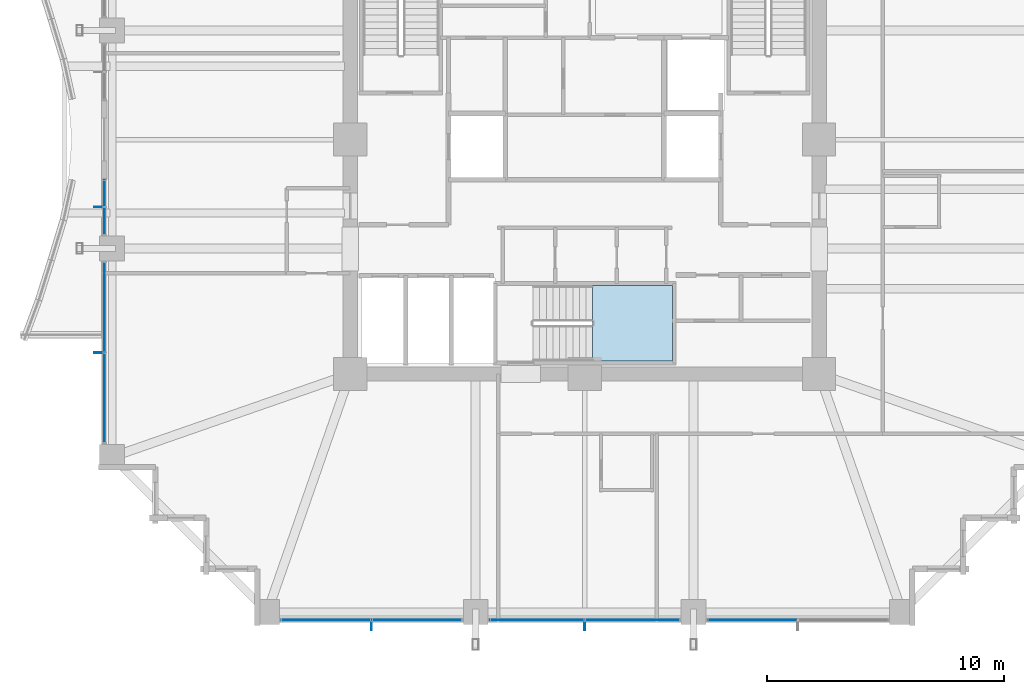
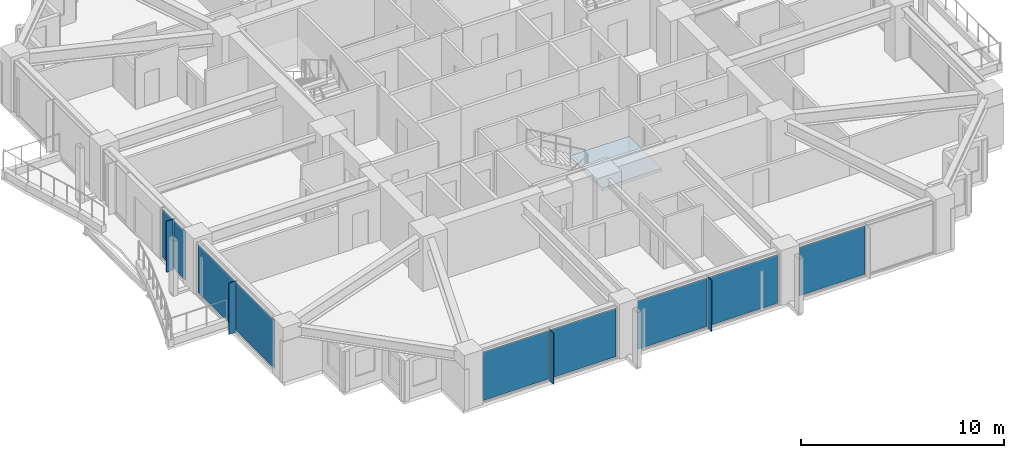
# One storey, part 25 of 37: 13 plates, 1 slab, 6 elements without a shape of their own.
"""IFC4 building model written with IfcOpenShell, lengths in metres."""

from ifc_helpers import new_model, si_unit, direction, frame, origin, origin_2d, place, context, subcontext, project, spatial, polyline, rectangle, outline, extrude, material, layer, layer_set, type_object, element, aggregate, save


model = new_model("IFC4")

# Units and contexts
model_context = context("Model", 3, precision=1e-05, world=origin(), true_north=direction((0.0, 1.0)))
body_context = subcontext(model_context, "Body", "Model", "MODEL_VIEW")
ifc_project = project(units=[si_unit("LENGTHUNIT", "METRE"), si_unit("AREAUNIT", "SQUARE_METRE"), si_unit("VOLUMEUNIT", "CUBIC_METRE"), si_unit("PLANEANGLEUNIT", "RADIAN"), si_unit("MASSUNIT", "GRAM", prefix="KILO")], contexts=[model_context])

# Site, building, storey
site_placement = place(None, origin())
site = spatial("IfcSite", under=ifc_project, at=site_placement, CompositionType="ELEMENT")
building_placement = place(site_placement, origin())
building = spatial("IfcBuilding", under=site, at=building_placement, Name="Kolvaren Belvedere", CompositionType="ELEMENT")
storey_placement = place(building_placement, frame((0.0, 0.0, 82.10009765625)))
storey = spatial("IfcBuildingStorey", under=building, at=storey_placement, Name="L23", CompositionType="ELEMENT", Elevation=82.10009765625)

# Curtain wall, plate
ifc_material_1 = material(Name="Anodised pale-metal aluminium AA 6063-T6", Category="aluminium")
curtain_wall_type = type_object("IfcCurtainWallType", Name="CW-Z2-MID", PredefinedType="NOTDEFINED", material=ifc_material_1)
curtain_wall_1_placement = place(storey_placement, origin())
curtain_wall_1 = element("IfcCurtainWall", 1, at=curtain_wall_1_placement, inside=storey, type_object=curtain_wall_type, Name="L23 Unitised Curtain Wall FCW-L23-S-B1", PredefinedType="NOTDEFINED")
ifc_material_2 = material(Name="Low-iron triple insulated glass", Category="glass")
ifc_layer_1 = layer(ifc_material_2, 0.028076171875)
ifc_layer_set_1 = layer_set([ifc_layer_1], Name="Low-iron triple insulated glass")
plate_type_1 = type_object("IfcPlateType", Name="CW-PNL-VIS28", PredefinedType="CURTAIN_PANEL", material=ifc_layer_set_1)
plate_1_placement = place(storey_placement, frame((7.0888671875, -20.280029296875, 0.079833984375), z_axis=(0.0, 0.0, 1.0), x_axis=(-1.0, 0.0, 0.0)))
plate_1 = element("IfcPlate", 2, at=plate_1_placement, type_object=plate_type_1, Name="FCW-L23-S-B1 Vision Glazing Panel 2", PredefinedType="CURTAIN_PANEL", context=body_context, shape_type="SweptSolid", body=[
    extrude(rectangle(XDim=3.742431640625, YDim=0.028076171875, at=origin_2d()), origin(), (0.0, 0.0, 1.0), 2.919921875),
])
aggregate(curtain_wall_1, [plate_1])

# Curtain wall, plates
curtain_wall_2_placement = place(storey_placement, origin())
curtain_wall_2 = element("IfcCurtainWall", 3, at=curtain_wall_2_placement, inside=storey, type_object=curtain_wall_type, Name="L23 Unitised Curtain Wall FCW-L23-S-B2", PredefinedType="NOTDEFINED")
plate_2_placement = place(storey_placement, frame((2.01123046875, -20.280029296875, 0.079833984375), z_axis=(0.0, 0.0, 1.0), x_axis=(-1.0, 0.0, 0.0)))
plate_2 = element("IfcPlate", 4, at=plate_2_placement, type_object=plate_type_1, Name="FCW-L23-S-B2 Vision Glazing Panel 1", PredefinedType="CURTAIN_PANEL", context=body_context, shape_type="SweptSolid", body=[
    extrude(rectangle(XDim=3.9423828125, YDim=0.028076171875, at=origin_2d()), origin(), (0.0, 0.0, 1.0), 2.919921875),
])
plate_3_placement = place(storey_placement, frame((-2.01123046875, -20.280029296875, 0.079833984375), z_axis=(0.0, 0.0, 1.0), x_axis=(-1.0, 0.0, 0.0)))
plate_3 = element("IfcPlate", 5, at=plate_3_placement, type_object=plate_type_1, Name="FCW-L23-S-B2 Vision Glazing Panel 2", PredefinedType="CURTAIN_PANEL", context=body_context, shape_type="SweptSolid", body=[
    extrude(rectangle(XDim=3.9423828125, YDim=0.028076171875, at=origin_2d()), origin(), (0.0, 0.0, 1.0), 2.919921875),
])
aggregate(curtain_wall_2, [plate_2, plate_3])

curtain_wall_3_placement = place(storey_placement, origin())
curtain_wall_3 = element("IfcCurtainWall", 6, at=curtain_wall_3_placement, inside=storey, type_object=curtain_wall_type, Name="L23 Unitised Curtain Wall FCW-L23-S-B3", PredefinedType="NOTDEFINED")
plate_4_placement = place(storey_placement, frame((-7.0888671875, -20.280029296875, 0.079833984375), z_axis=(0.0, 0.0, 1.0), x_axis=(-1.0, 0.0, 0.0)))
plate_4 = element("IfcPlate", 7, at=plate_4_placement, type_object=plate_type_1, Name="FCW-L23-S-B3 Vision Glazing Panel 1", PredefinedType="CURTAIN_PANEL", context=body_context, shape_type="SweptSolid", body=[
    extrude(rectangle(XDim=3.742431640625, YDim=0.028076171875, at=origin_2d()), origin(), (0.0, 0.0, 1.0), 2.919921875),
])
plate_5_placement = place(storey_placement, frame((-10.9111328125, -20.280029296875, 0.079833984375), z_axis=(0.0, 0.0, 1.0), x_axis=(-1.0, 0.0, 0.0)))
plate_5 = element("IfcPlate", 8, at=plate_5_placement, type_object=plate_type_1, Name="FCW-L23-S-B3 Vision Glazing Panel 2", PredefinedType="CURTAIN_PANEL", context=body_context, shape_type="SweptSolid", body=[
    extrude(rectangle(XDim=3.742431640625, YDim=0.028076171875, at=origin_2d()), origin(), (0.0, 0.0, 1.0), 2.919921875),
])
aggregate(curtain_wall_3, [plate_4, plate_5])

curtain_wall_4_placement = place(storey_placement, origin())
curtain_wall_4 = element("IfcCurtainWall", 9, at=curtain_wall_4_placement, inside=storey, type_object=curtain_wall_type, Name="L23 Unitised Curtain Wall FCW-L23-W1-B1", PredefinedType="NOTDEFINED")
plate_6_placement = place(storey_placement, frame((-20.280029296875, -10.9111328125, 0.079833984375), z_axis=(0.0, 0.0, 1.0), x_axis=(0.0, 1.0, 0.0)))
plate_6 = element("IfcPlate", 10, at=plate_6_placement, type_object=plate_type_1, Name="FCW-L23-W1-B1 Vision Glazing Panel 1", PredefinedType="CURTAIN_PANEL", context=body_context, shape_type="SweptSolid", body=[
    extrude(rectangle(XDim=3.742431640625, YDim=0.028076171875, at=origin_2d()), origin(), (0.0, 0.0, 1.0), 2.919921875),
])
plate_7_placement = place(storey_placement, frame((-20.280029296875, -7.0888671875, 0.079833984375), z_axis=(0.0, 0.0, 1.0), x_axis=(0.0, 1.0, 0.0)))
plate_7 = element("IfcPlate", 11, at=plate_7_placement, type_object=plate_type_1, Name="FCW-L23-W1-B1 Vision Glazing Panel 2", PredefinedType="CURTAIN_PANEL", context=body_context, shape_type="SweptSolid", body=[
    extrude(rectangle(XDim=3.742431640625, YDim=0.028076171875, at=origin_2d()), origin(), (0.0, 0.0, 1.0), 2.919921875),
])
aggregate(curtain_wall_4, [plate_6, plate_7])

curtain_wall_5_placement = place(storey_placement, origin())
curtain_wall_5 = element("IfcCurtainWall", 12, at=curtain_wall_5_placement, inside=storey, type_object=curtain_wall_type, Name="L23 Unitised Curtain Wall FCW-L23-W1-B2", PredefinedType="NOTDEFINED")
plate_8_placement = place(storey_placement, frame((-20.280029296875, -3.43701171875, 0.079833984375), z_axis=(0.0, 0.0, 1.0), x_axis=(0.0, 1.0, 0.0)))
plate_8 = element("IfcPlate", 13, at=plate_8_placement, type_object=plate_type_1, Name="FCW-L23-W1-B2 Vision Glazing Panel 1", PredefinedType="CURTAIN_PANEL", context=body_context, shape_type="SweptSolid", body=[
    extrude(rectangle(XDim=1.09130859375, YDim=0.028076171875, at=origin_2d()), origin(), (0.0, 0.0, 1.0), 2.919921875),
])
plate_9_placement = place(storey_placement, frame((-20.280029296875, -2.265625, 0.079833984375), z_axis=(0.0, 0.0, 1.0), x_axis=(0.0, 1.0, 0.0)))
plate_9 = element("IfcPlate", 14, at=plate_9_placement, type_object=plate_type_1, Name="FCW-L23-W1-B2 Vision Glazing Panel 2", PredefinedType="CURTAIN_PANEL", context=body_context, shape_type="SweptSolid", body=[
    extrude(rectangle(XDim=1.09130859375, YDim=0.028076171875, at=origin_2d()), origin(), (0.0, 0.0, 1.0), 2.919921875),
])
aggregate(curtain_wall_5, [plate_8, plate_9])

# Plates
ifc_material_3 = material(Name="Anodised pale-metal aluminium AA 6063-T6", Category="aluminium")
ifc_layer_2 = layer(ifc_material_3, 0.033935546875)
ifc_layer_set_2 = layer_set([ifc_layer_2], Name="Anodised pale-metal aluminium AA 6063-T6")
plate_type_2 = type_object("IfcPlateType", Name="FIN-VERT-380", PredefinedType="USERDEFINED", material=ifc_layer_set_2)
for number, where, z_axis, x_axis, name in (
    (15, (0.0, -20.52490234375, -0.000244140625), (0.0, 0.0, 1.0), (0.0, 1.0, 0.0), "L23 Pale-Metal Vertical Shading Fin FCW-L23-S-B2-1"),
    (16, (-9.0, -20.52490234375, -0.000244140625), (0.0, 0.0, 1.0), (0.0, 1.0, 0.0), "L23 Pale-Metal Vertical Shading Fin FCW-L23-S-B3-1"),
    (17, (-20.52490234375, -9.0, -0.000244140625), (0.0, 0.0, 1.0), (1.0, 0.0, 0.0), "L23 Pale-Metal Vertical Shading Fin FCW-L23-W1-B1-1"),
    (18, (-20.52490234375, -2.851318359375, -0.000244140625), (0.0, 0.0, 1.0), (1.0, 0.0, 0.0), "L23 Pale-Metal Vertical Shading Fin FCW-L23-W1-B2-1"),
):
    element("IfcPlate", number, at=place(storey_placement, frame(where, z_axis=z_axis, x_axis=x_axis)), inside=storey, type_object=plate_type_2, Name=name, ObjectType="VERTICAL FIN", PredefinedType="USERDEFINED", context=body_context, shape_type="SweptSolid", body=[
        extrude(rectangle(XDim=0.3798828125, YDim=0.033935546875, at=origin_2d()), origin(), (0.0, 0.0, 1.0), 3.080078125),
    ])

# Stair, slab
ifc_material_4 = material(Name="Concrete C50/60", Category="concrete")
stair_type = type_object("IfcStairType", Name="ST-CORE-1520", PredefinedType="HALF_TURN_STAIR", material=ifc_material_4)
stair_placement = place(storey_placement, origin())
stair = element("IfcStair", 19, at=stair_placement, inside=storey, type_object=stair_type, Name="L23 Protected Exit Stair ST-3", PredefinedType="HALF_TURN_STAIR")
ifc_material_5 = material(Name="Concrete C50/60", Category="concrete")
ifc_layer_3 = layer(ifc_material_5, 0.260009765625)
ifc_layer_set_3 = layer_set([ifc_layer_3], Name="Concrete C50/60")
slab_type = type_object("IfcSlabType", Name="SL-LAND-260", PredefinedType="LANDING", material=ifc_layer_set_3)
slab_placement = place(storey_placement, frame((0.0, 0.0, 1.449951171875)))
slab = element("IfcSlab", 20, at=slab_placement, type_object=slab_type, Name="ST-3 landing 1", PredefinedType="LANDING", context=body_context, shape_type="SweptSolid", body=[
    extrude(outline(polyline([(0.340087890625, -9.35009765625), (3.699951171875, -9.35009765625), (3.699951171875, -6.159912109375), (0.340087890625, -6.159912109375), (0.340087890625, -9.35009765625)])), origin(), (0.0, 0.0, 1.0), 0.199951171875),
])
aggregate(stair, [slab])

save(model, "model.ifc")
